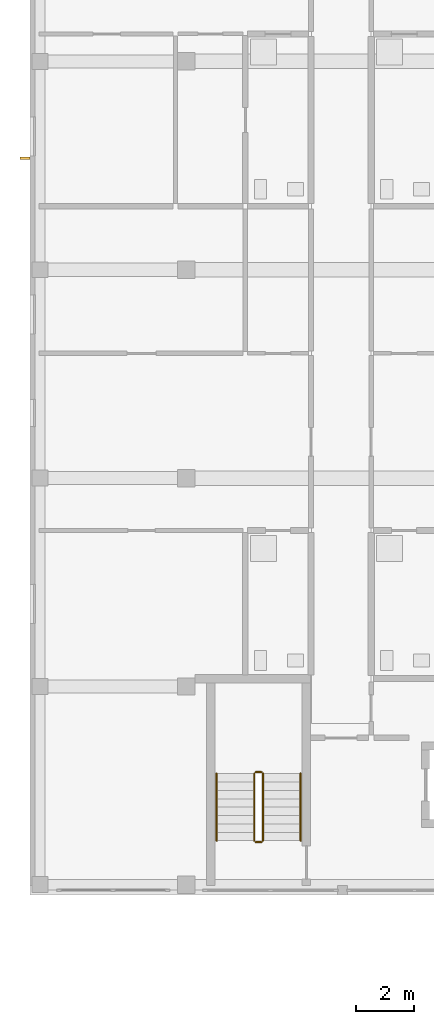
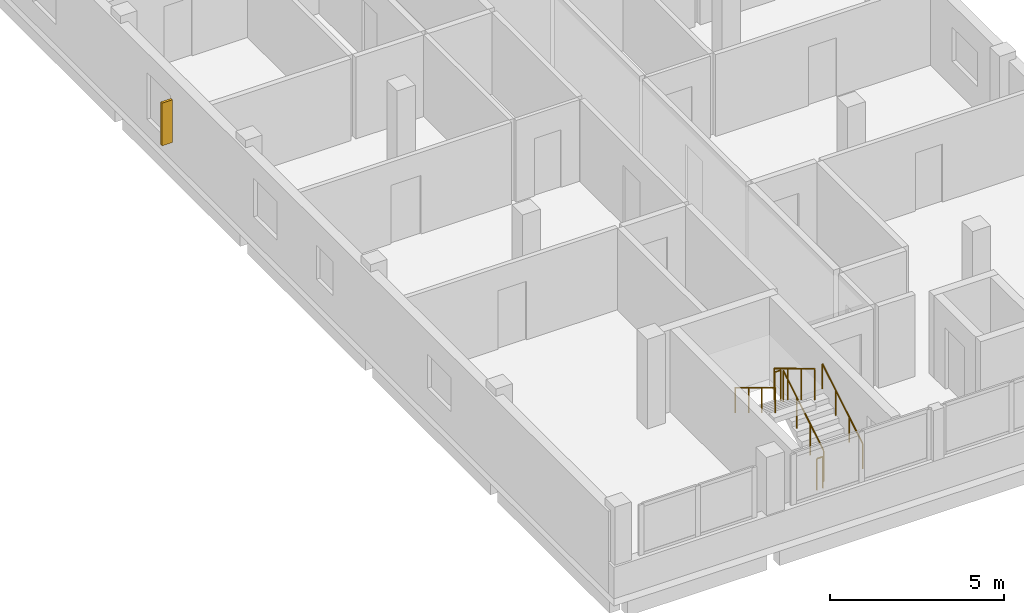
# One storey, part 25 of 34: 6 railings, 1 shading device.
"""IFC4 building model written with IfcOpenShell, lengths in metres."""

from ifc_helpers import new_model, si_unit, derived_unit, direction, frame, origin, origin_2d, place, context, subcontext, project, spatial, rectangle, circle, extrude, material, type_object, element, save


model = new_model("IFC4")

# Units and contexts
model_context = context("Model", 3, precision=1e-05, world=origin(), true_north=direction((0.0, 1.0)))
body_context = subcontext(model_context, "Body", "Model", "MODEL_VIEW")
ifc_project = project(units=[si_unit("LENGTHUNIT", "METRE"), si_unit("AREAUNIT", "SQUARE_METRE"), si_unit("VOLUMEUNIT", "CUBIC_METRE"), si_unit("PLANEANGLEUNIT", "RADIAN"), si_unit("MASSUNIT", "GRAM", prefix="KILO"), derived_unit("THERMALTRANSMITTANCEUNIT", [(si_unit("MASSUNIT", "GRAM", prefix="KILO"), 1), (si_unit("TIMEUNIT", "SECOND"), -3), (si_unit("THERMODYNAMICTEMPERATUREUNIT", "KELVIN"), -1)])], contexts=[model_context])

# Site, building, storey
site_placement = place(None, origin())
site = spatial("IfcSite", under=ifc_project, at=site_placement, CompositionType="ELEMENT")
building_placement = place(site_placement, origin())
building = spatial("IfcBuilding", under=site, at=building_placement, Name="Ochrekiln Boulevard Commons", CompositionType="ELEMENT")
storey_placement = place(building_placement, frame((0.0, 0.0, 27.824951171875)))
storey = spatial("IfcBuildingStorey", under=building, at=storey_placement, Name="L08", CompositionType="ELEMENT", Elevation=27.824951171875)

# Railings
ifc_material_1 = material(Name="Brushed stainless steel 316 tubular railing", Category="steel")
railing_type_1 = type_object("IfcRailingType", Name="RLG-HDR-900", PredefinedType="HANDRAIL", material=ifc_material_1)
railing_1_placement = place(storey_placement, frame((9.35009765625, 70.27001953125, 0.175048828125)))
element("IfcRailing", 1, at=railing_1_placement, inside=storey, type_object=railing_type_1, Name="L08 ST-A1 stair handrail 1", PredefinedType="HANDRAIL", context=body_context, shape_type="SweptSolid", body=[
    extrude(circle(Radius=0.02392578125, at=origin_2d()), frame((0.0, 0.0, 0.8759765625), z_axis=(0.0, 0.85621033714, 0.516627388526), x_axis=(-1.0, 0.0, 0.0)), (0.0, 0.0, 1.0), 2.709716796875),
    extrude(circle(Radius=0.02099609375, at=origin_2d()), origin(), (0.0, 0.0, 1.0), 0.851806640625),
    extrude(circle(Radius=0.02099609375, at=origin_2d()), frame((0.0, 0.7734375, 0.466552734375)), (0.0, 0.0, 1.0), 0.851806640625),
    extrude(circle(Radius=0.02099609375, at=origin_2d()), frame((0.0, 1.546630859375, 0.933349609375)), (0.0, 0.0, 1.0), 0.851806640625),
    extrude(circle(Radius=0.02099609375, at=origin_2d()), frame((0.0, 2.320068359375, 1.39990234375)), (0.0, 0.0, 1.0), 0.851806640625),
])
railing_2_placement = place(storey_placement, frame((6.449951171875, 72.590087890625, 1.75)))
element("IfcRailing", 2, at=railing_2_placement, inside=storey, type_object=railing_type_1, Name="L08 ST-A1 stair handrail 2", PredefinedType="HANDRAIL", context=body_context, shape_type="SweptSolid", body=[
    extrude(circle(Radius=0.02392578125, at=origin_2d()), frame((0.0, 0.0, 0.8759765625), z_axis=(0.0, -0.856170481923, 0.516693435108), x_axis=(1.0, 0.0, 0.0)), (0.0, 0.0, 1.0), 2.709716796875),
    extrude(circle(Radius=0.02099609375, at=origin_2d()), origin(), (0.0, 0.0, 1.0), 0.851806640625),
    extrude(circle(Radius=0.02099609375, at=origin_2d()), frame((0.0, -0.7734375, 0.466796875)), (0.0, 0.0, 1.0), 0.851806640625),
    extrude(circle(Radius=0.02099609375, at=origin_2d()), frame((0.0, -1.546630859375, 0.933349609375)), (0.0, 0.0, 1.0), 0.851806640625),
    extrude(circle(Radius=0.02099609375, at=origin_2d()), frame((0.0, -2.320068359375, 1.400146484375)), (0.0, 0.0, 1.0), 0.851806640625),
])
railing_type_2 = type_object("IfcRailingType", Name="RLG-STR-1120", PredefinedType="BALUSTRADE", material=ifc_material_1)
railing_3_placement = place(storey_placement, frame((8.050048828125, 70.27001953125, 0.175048828125)))
element("IfcRailing", 3, at=railing_3_placement, inside=storey, type_object=railing_type_2, Name="L08 ST-A1 stair guard 1", PredefinedType="BALUSTRADE", context=body_context, shape_type="SweptSolid", body=[
    extrude(circle(Radius=0.02392578125, at=origin_2d()), frame((0.0, 0.0, 1.09619140625), z_axis=(0.0, 0.85621033714, 0.516627388526), x_axis=(-1.0, 0.0, 0.0)), (0.0, 0.0, 1.0), 2.709716796875),
    extrude(circle(Radius=0.02099609375, at=origin_2d()), origin(), (0.0, 0.0, 1.0), 1.072021484375),
    extrude(circle(Radius=0.02099609375, at=origin_2d()), frame((0.0, 0.7734375, 0.466552734375)), (0.0, 0.0, 1.0), 1.072021484375),
    extrude(circle(Radius=0.02099609375, at=origin_2d()), frame((0.0, 1.546630859375, 0.933349609375)), (0.0, 0.0, 1.0), 1.072021484375),
    extrude(circle(Radius=0.02099609375, at=origin_2d()), frame((0.0, 2.320068359375, 1.39990234375)), (0.0, 0.0, 1.0), 1.072021484375),
])
railing_4_placement = place(storey_placement, frame((8.0, 72.639892578125, 1.574951171875)))
element("IfcRailing", 4, at=railing_4_placement, inside=storey, type_object=railing_type_2, Name="L08 ST-A1 stair guard 2", PredefinedType="BALUSTRADE", context=body_context, shape_type="SweptSolid", body=[
    extrude(circle(Radius=0.02392578125, at=origin_2d()), frame((0.0, 0.0, 1.09619140625), z_axis=(-1.0, 0.0, 0.0), x_axis=(0.0, -1.0, 0.0)), (0.0, 0.0, 1.0), 0.199951171875),
    extrude(circle(Radius=0.02099609375, at=origin_2d()), origin(), (0.0, 0.0, 1.0), 1.072021484375),
    extrude(circle(Radius=0.02099609375, at=origin_2d()), frame((-0.199951171875, 0.0, 0.0)), (0.0, 0.0, 1.0), 1.072021484375),
])
railing_5_placement = place(storey_placement, frame((7.75, 72.590087890625, 1.75)))
element("IfcRailing", 5, at=railing_5_placement, inside=storey, type_object=railing_type_2, Name="L08 ST-A1 stair guard 3", PredefinedType="BALUSTRADE", context=body_context, shape_type="SweptSolid", body=[
    extrude(circle(Radius=0.02392578125, at=origin_2d()), frame((0.0, 0.0, 1.09619140625), z_axis=(0.0, -0.856170481923, 0.516693435108), x_axis=(1.0, 0.0, 0.0)), (0.0, 0.0, 1.0), 2.709716796875),
    extrude(circle(Radius=0.02099609375, at=origin_2d()), origin(), (0.0, 0.0, 1.0), 1.072021484375),
    extrude(circle(Radius=0.02099609375, at=origin_2d()), frame((0.0, -0.7734375, 0.466796875)), (0.0, 0.0, 1.0), 1.072021484375),
    extrude(circle(Radius=0.02099609375, at=origin_2d()), frame((0.0, -1.546630859375, 0.933349609375)), (0.0, 0.0, 1.0), 1.072021484375),
    extrude(circle(Radius=0.02099609375, at=origin_2d()), frame((0.0, -2.320068359375, 1.400146484375)), (0.0, 0.0, 1.0), 1.072021484375),
])
railing_6_placement = place(storey_placement, frame((8.0, 70.219970703125, 0.0)))
element("IfcRailing", 6, at=railing_6_placement, inside=storey, type_object=railing_type_2, Name="L08 ST-A1 stair guard 4", PredefinedType="BALUSTRADE", context=body_context, shape_type="SweptSolid", body=[
    extrude(circle(Radius=0.02392578125, at=origin_2d()), frame((0.0, 0.0, 1.09619140625), z_axis=(-1.0, 0.0, 0.0), x_axis=(0.0, -1.0, 0.0)), (0.0, 0.0, 1.0), 0.199951171875),
    extrude(circle(Radius=0.02099609375, at=origin_2d()), origin(), (0.0, 0.0, 1.0), 1.072021484375),
    extrude(circle(Radius=0.02099609375, at=origin_2d()), frame((-0.199951171875, 0.0, 0.0)), (0.0, 0.0, 1.0), 1.072021484375),
])

# Shading device
ifc_material_2 = material(Name="Glazed architectural terracotta ASTM C1405", Category="masonry")
shading_device_type = type_object("IfcShadingDeviceType", Name="SHD-FIN-TERRA", PredefinedType="JALOUSIE", material=ifc_material_2)
shading_device_placement = place(storey_placement, frame((-0.169921875, 93.85107421875, 0.630126953125), z_axis=(0.0, 0.0, 1.0), x_axis=(1.0, 0.0, 0.0)))
element("IfcShadingDevice", 7, at=shading_device_placement, inside=storey, type_object=shading_device_type, Name="Terracotta Solar Shading Fin SF-01 (14)", PredefinedType="JALOUSIE", context=body_context, shape_type="SweptSolid", body=[
    extrude(rectangle(XDim=0.35009765625, YDim=0.080078125, at=origin_2d()), origin(), (0.0, 0.0, 1.0), 1.5),
])

save(model, "model.ifc")
